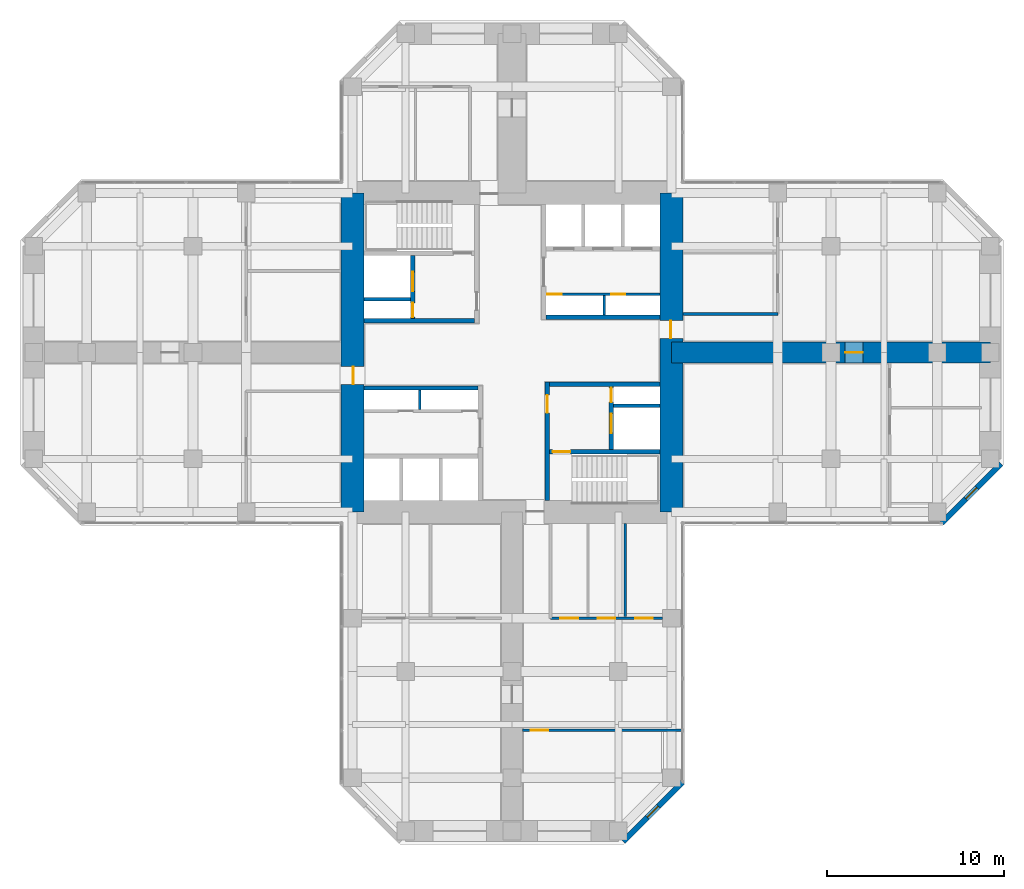
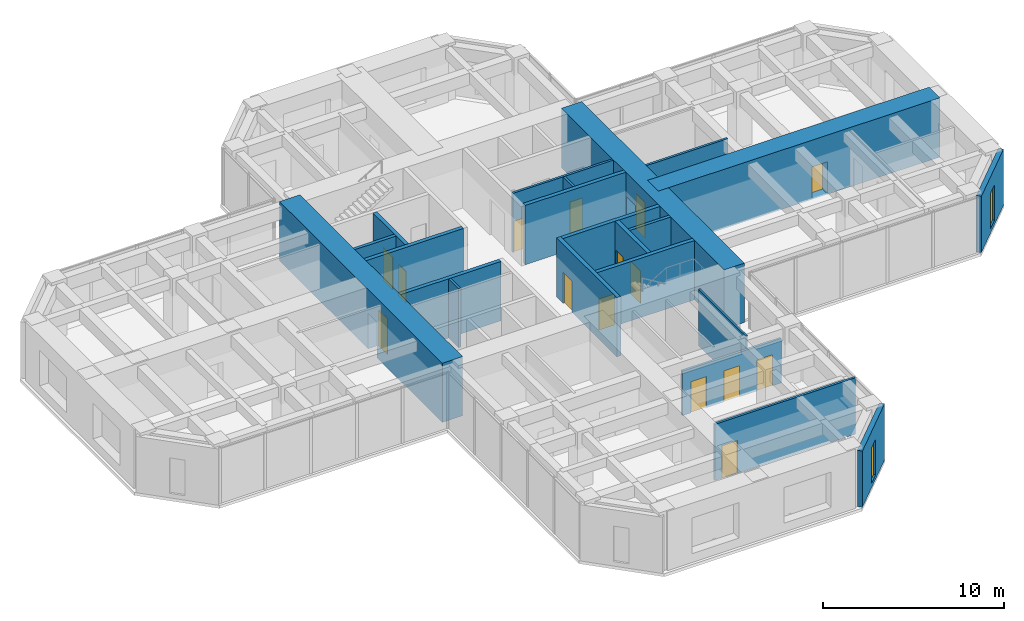
# One storey, part 9 of 12: 22 walls, 15 doors, 2 windows, 17 openings.
"""IFC4 building model written with IfcOpenShell, lengths in metres."""

from ifc_helpers import new_model, si_unit, direction, frame, frame_2d, origin, place, context, subcontext, project, spatial, rectangle, hollow_rectangle, extrude, material, layer, layer_set, constituent, constituent_set, type_object, element, fill, save


model = new_model("IFC4")

# Units and contexts
model_context = context("Model", 3, precision=1e-05, world=origin(), true_north=direction((0.0, 1.0)))
body_context = subcontext(model_context, "Body", "Model", "MODEL_VIEW")
ifc_project = project(units=[si_unit("LENGTHUNIT", "METRE"), si_unit("AREAUNIT", "SQUARE_METRE"), si_unit("VOLUMEUNIT", "CUBIC_METRE"), si_unit("PLANEANGLEUNIT", "RADIAN"), si_unit("MASSUNIT", "GRAM", prefix="KILO")], contexts=[model_context])

# Site, building, storey
site_placement = place(None, origin())
site = spatial("IfcSite", under=ifc_project, at=site_placement, CompositionType="ELEMENT")
building_placement = place(site_placement, origin())
building = spatial("IfcBuilding", under=site, at=building_placement, Name="Torre Cruceta", CompositionType="ELEMENT")
storey_placement = place(building_placement, frame((0.0, 0.0, 116.5)))
storey = spatial("IfcBuildingStorey", under=building, at=storey_placement, Name="L28", CompositionType="ELEMENT", Elevation=116.5)

# Walls
ifc_material_1 = material(Name="Concrete G60 (fck 60 MPa)", Category="concrete")
ifc_layer_1 = layer(ifc_material_1, 0.25)
ifc_layer_set_1 = layer_set([ifc_layer_1], Name="Concrete G60 (fck 60 MPa)")
wall_type_1 = type_object("IfcWallType", Name="CORE INNER WALL 250 G60", PredefinedType="SHEAR", material=ifc_layer_set_1)
wall_1_placement = place(storey_placement, frame((1.925048828125, 2.0, 0.0), z_axis=(0.0, 0.0, 1.0), x_axis=(1.0, 0.0, 0.0)))
element("IfcWall", 1, at=wall_1_placement, inside=storey, type_object=wall_type_1, Name="CW4 L28 NE-CV", PredefinedType="SHEAR", context=body_context, shape_type="SweptSolid", body=[
    extrude(rectangle(XDim=6.425048828125, YDim=0.25, at=frame_2d((3.21240234375, 0.0))), origin(), (0.0, 0.0, 1.0), 4.0),
])
wall_2_placement = place(storey_placement, frame((-2.125, 1.800048828125, 0.0), z_axis=(0.0, 0.0, 1.0), x_axis=(-1.0, 0.0, 0.0)))
element("IfcWall", 2, at=wall_2_placement, inside=storey, type_object=wall_type_1, Name="CW4 L28 NW-CV", PredefinedType="SHEAR", context=body_context, shape_type="SweptSolid", body=[
    extrude(rectangle(XDim=6.22509765625, YDim=0.25, at=frame_2d((3.112548828125, 0.0))), origin(), (0.0, 0.0, 1.0), 4.0),
])

# Wall, openings, doors
wall_3_placement = place(storey_placement, frame((-5.60009765625, 1.925048828125, 0.0), z_axis=(0.0, 0.0, 1.0), x_axis=(0.0, 1.0, 0.0)))
wall_3 = element("IfcWall", 3, at=wall_3_placement, inside=storey, type_object=wall_type_1, Name="CW4 L28 NW-FU", PredefinedType="SHEAR", context=body_context, shape_type="SweptSolid", body=[
    extrude(rectangle(XDim=3.550048828125, YDim=0.25, at=frame_2d((1.77490234375, 0.0))), origin(), (0.0, 0.0, 1.0), 4.0),
])
opening_1_placement = place(wall_3_placement, frame((1.52490234375, 0.0, 0.0)))
opening_1 = element("IfcOpeningElement", 4, at=opening_1_placement, cuts=wall_3, Name="Opening LD1", PredefinedType="OPENING", context=body_context, shape_type="SweptSolid", body=[
    extrude(rectangle(XDim=1.10009765625, YDim=2.199951171875, at=frame_2d((0.550048828125, 1.10009765625))), frame((0.0, 0.135009765625, 0.0), z_axis=(0.0, -1.0, 0.0), x_axis=(1.0, 0.0, 0.0)), (0.0, 0.0, 1.0), 0.27001953125),
])
opening_2_placement = place(wall_3_placement, frame((0.074951171875, 0.0, 0.0)))
opening_2 = element("IfcOpeningElement", 5, at=opening_2_placement, cuts=wall_3, Name="Opening D5", PredefinedType="OPENING", context=body_context, shape_type="SweptSolid", body=[
    extrude(rectangle(XDim=0.800048828125, YDim=2.10009765625, at=frame_2d((0.39990234375, 1.050048828125))), frame((0.0, 0.135009765625, 0.0), z_axis=(0.0, -1.0, 0.0), x_axis=(1.0, 0.0, 0.0)), (0.0, 0.0, 1.0), 0.27001953125),
])
ifc_material_2 = material(Name="Stainless steel 1.4401", Category="steel")
door_type_1 = type_object("IfcDoorType", Name="LIFT LANDING DOOR 1100X2200", OperationType="DOUBLE_DOOR_SLIDING", PredefinedType="DOOR", material=ifc_material_2)
door_1_placement = place(opening_1_placement, origin())
door_1 = element("IfcDoor", 6, at=door_1_placement, inside=storey, type_object=door_type_1, Name="Lift landing door FL1", OperationType="DOUBLE_DOOR_SLIDING", OverallHeight=2.199951171875, OverallWidth=1.10009765625, PredefinedType="DOOR", context=body_context, shape_type="SweptSolid", body=[
    extrude(rectangle(XDim=1.10009765625, YDim=2.199951171875, at=frame_2d((0.550048828125, 1.10009765625))), frame((0.0, 0.02490234375, 0.0), z_axis=(0.0, -1.0, 0.0), x_axis=(1.0, 0.0, 0.0)), (0.0, 0.0, 1.0), 0.050048828125),
])
fill(opening_1, door_1)
ifc_material_3 = material(Name="Steel DX51D", Category="steel")
ifc_constituent_1 = constituent(ifc_material_3, Name="Leaf and frame")
ifc_material_4 = material(Name="Polyester powder coating", Category="paint")
ifc_constituent_2 = constituent(ifc_material_4, Name="Finish")
ifc_constituent_set_1 = constituent_set(constituents=[ifc_constituent_1, ifc_constituent_2], Name="Steel fire door")
door_type_2 = type_object("IfcDoorType", Name="RISER ACCESS DOOR 800X2100", OperationType="SINGLE_SWING_LEFT", PredefinedType="DOOR", material=ifc_constituent_set_1)
door_2_placement = place(opening_2_placement, origin())
door_2 = element("IfcDoor", 7, at=door_2_placement, inside=storey, type_object=door_type_2, Name="D5 L28 NW-RISER", OperationType="SINGLE_SWING_LEFT", OverallHeight=2.10009765625, OverallWidth=0.800048828125, PredefinedType="DOOR", context=body_context, shape_type="SweptSolid", body=[
    extrude(rectangle(XDim=0.800048828125, YDim=2.10009765625, at=frame_2d((0.39990234375, 1.050048828125))), frame((0.0, 0.02490234375, 0.0), z_axis=(0.0, -1.0, 0.0), x_axis=(1.0, 0.0, 0.0)), (0.0, 0.0, 1.0), 0.050048828125),
])
fill(opening_2, door_2)

# Wall
wall_4_placement = place(storey_placement, frame((-1.925048828125, -2.0, 0.0), z_axis=(0.0, 0.0, 1.0), x_axis=(-1.0, 0.0, 0.0)))
element("IfcWall", 8, at=wall_4_placement, inside=storey, type_object=wall_type_1, Name="CW4 L28 SW-CV", PredefinedType="SHEAR", context=body_context, shape_type="SweptSolid", body=[
    extrude(rectangle(XDim=6.425048828125, YDim=0.25, at=frame_2d((3.21240234375, 0.0))), origin(), (0.0, 0.0, 1.0), 4.0),
])

# Wall, opening, door
wall_5_placement = place(storey_placement, frame((2.0, -1.675048828125, 0.0), z_axis=(0.0, 0.0, 1.0), x_axis=(0.0, -1.0, 0.0)))
wall_5 = element("IfcWall", 9, at=wall_5_placement, inside=storey, type_object=wall_type_1, Name="CW4 L28 SE-CU", PredefinedType="SHEAR", context=body_context, shape_type="SweptSolid", body=[
    extrude(rectangle(XDim=6.675048828125, YDim=0.25, at=frame_2d((3.33740234375, 0.0))), origin(), (0.0, 0.0, 1.0), 4.0),
])
opening_3_placement = place(wall_5_placement, frame((0.72509765625, 0.0, 0.0)))
opening_3 = element("IfcOpeningElement", 10, at=opening_3_placement, cuts=wall_5, Name="Opening D3", PredefinedType="OPENING", context=body_context, shape_type="SweptSolid", body=[
    extrude(rectangle(XDim=1.0, YDim=2.10009765625, at=frame_2d((0.5, 1.050048828125))), frame((0.0, 0.135009765625, 0.0), z_axis=(0.0, -1.0, 0.0), x_axis=(1.0, 0.0, 0.0)), (0.0, 0.0, 1.0), 0.27001953125),
])
ifc_material_5 = material(Name="Steel DX51D", Category="steel")
ifc_constituent_3 = constituent(ifc_material_5, Name="Leaf and frame")
ifc_material_6 = material(Name="Polyester powder coating", Category="paint")
ifc_constituent_4 = constituent(ifc_material_6, Name="Finish")
ifc_constituent_set_2 = constituent_set(constituents=[ifc_constituent_3, ifc_constituent_4], Name="Steel fire door")
door_type_3 = type_object("IfcDoorType", Name="FIRE DOOR 1000X2100", OperationType="SINGLE_SWING_LEFT", PredefinedType="DOOR", material=ifc_constituent_set_2)
door_3_placement = place(opening_3_placement, origin())
door_3 = element("IfcDoor", 11, at=door_3_placement, inside=storey, type_object=door_type_3, Name="D3 L28 SE-LOBBY", OperationType="SINGLE_SWING_LEFT", OverallHeight=2.10009765625, OverallWidth=1.0, PredefinedType="DOOR", context=body_context, shape_type="SweptSolid", body=[
    extrude(rectangle(XDim=1.0, YDim=2.10009765625, at=frame_2d((0.5, 1.050048828125))), frame((0.0, 0.02490234375, 0.0), z_axis=(0.0, -1.0, 0.0), x_axis=(1.0, 0.0, 0.0)), (0.0, 0.0, 1.0), 0.050048828125),
])
fill(opening_3, door_3)

# Wall
wall_6_placement = place(storey_placement, frame((2.125, -1.800048828125, 0.0), z_axis=(0.0, 0.0, 1.0), x_axis=(1.0, 0.0, 0.0)))
element("IfcWall", 12, at=wall_6_placement, inside=storey, type_object=wall_type_1, Name="CW4 L28 SE-CV", PredefinedType="SHEAR", context=body_context, shape_type="SweptSolid", body=[
    extrude(rectangle(XDim=6.22509765625, YDim=0.25, at=frame_2d((3.112548828125, 0.0))), origin(), (0.0, 0.0, 1.0), 4.0),
])

# Wall, opening, door
wall_7_placement = place(storey_placement, frame((2.125, -5.60009765625, 0.0), z_axis=(0.0, 0.0, 1.0), x_axis=(1.0, 0.0, 0.0)))
wall_7 = element("IfcWall", 13, at=wall_7_placement, inside=storey, type_object=wall_type_1, Name="CW4 L28 SE-SV", PredefinedType="SHEAR", context=body_context, shape_type="SweptSolid", body=[
    extrude(rectangle(XDim=6.22509765625, YDim=0.25, at=frame_2d((3.112548828125, 0.0))), origin(), (0.0, 0.0, 1.0), 4.0),
])
opening_4_placement = place(wall_7_placement, frame((0.175048828125, 0.0, 0.0)))
opening_4 = element("IfcOpeningElement", 14, at=opening_4_placement, cuts=wall_7, Name="Opening D3", PredefinedType="OPENING", context=body_context, shape_type="SweptSolid", body=[
    extrude(rectangle(XDim=1.0, YDim=2.10009765625, at=frame_2d((0.5, 1.050048828125))), frame((0.0, 0.135009765625, 0.0), z_axis=(0.0, -1.0, 0.0), x_axis=(1.0, 0.0, 0.0)), (0.0, 0.0, 1.0), 0.27001953125),
])
door_4_placement = place(opening_4_placement, frame((1.0, 0.0, 0.0), z_axis=(0.0, 0.0, 1.0), x_axis=(-1.0, 0.0, 0.0)))
door_4 = element("IfcDoor", 15, at=door_4_placement, inside=storey, type_object=door_type_3, Name="D3 L28 SE-STAIR", OperationType="SINGLE_SWING_RIGHT", OverallHeight=2.10009765625, OverallWidth=1.0, PredefinedType="DOOR", context=body_context, shape_type="SweptSolid", body=[
    extrude(rectangle(XDim=1.0, YDim=2.10009765625, at=frame_2d((0.5, 1.050048828125))), frame((0.0, 0.025146484375, 0.0), z_axis=(0.0, -1.0, 0.0), x_axis=(1.0, 0.0, 0.0)), (0.0, 0.0, 1.0), 0.050048828125),
])
fill(opening_4, door_4)

# Wall, openings, doors
wall_8_placement = place(storey_placement, frame((5.60009765625, -1.925048828125, 0.0), z_axis=(0.0, 0.0, 1.0), x_axis=(0.0, -1.0, 0.0)))
wall_8 = element("IfcWall", 16, at=wall_8_placement, inside=storey, type_object=wall_type_1, Name="CW4 L28 SE-FU", PredefinedType="SHEAR", context=body_context, shape_type="SweptSolid", body=[
    extrude(rectangle(XDim=3.550048828125, YDim=0.25, at=frame_2d((1.77490234375, 0.0))), origin(), (0.0, 0.0, 1.0), 4.0),
])
opening_5_placement = place(wall_8_placement, frame((1.52490234375, 0.0, 0.0)))
opening_5 = element("IfcOpeningElement", 17, at=opening_5_placement, cuts=wall_8, Name="Opening LD1", PredefinedType="OPENING", context=body_context, shape_type="SweptSolid", body=[
    extrude(rectangle(XDim=1.10009765625, YDim=2.199951171875, at=frame_2d((0.550048828125, 1.10009765625))), frame((0.0, 0.135009765625, 0.0), z_axis=(0.0, -1.0, 0.0), x_axis=(1.0, 0.0, 0.0)), (0.0, 0.0, 1.0), 0.27001953125),
])
opening_6_placement = place(wall_8_placement, frame((0.074951171875, 0.0, 0.0)))
opening_6 = element("IfcOpeningElement", 18, at=opening_6_placement, cuts=wall_8, Name="Opening D5", PredefinedType="OPENING", context=body_context, shape_type="SweptSolid", body=[
    extrude(rectangle(XDim=0.800048828125, YDim=2.10009765625, at=frame_2d((0.39990234375, 1.050048828125))), frame((0.0, 0.135009765625, 0.0), z_axis=(0.0, -1.0, 0.0), x_axis=(1.0, 0.0, 0.0)), (0.0, 0.0, 1.0), 0.27001953125),
])
door_5_placement = place(opening_5_placement, origin())
door_5 = element("IfcDoor", 19, at=door_5_placement, inside=storey, type_object=door_type_1, Name="Lift landing door FL2", OperationType="DOUBLE_DOOR_SLIDING", OverallHeight=2.199951171875, OverallWidth=1.10009765625, PredefinedType="DOOR", context=body_context, shape_type="SweptSolid", body=[
    extrude(rectangle(XDim=1.10009765625, YDim=2.199951171875, at=frame_2d((0.550048828125, 1.10009765625))), frame((0.0, 0.02490234375, 0.0), z_axis=(0.0, -1.0, 0.0), x_axis=(1.0, 0.0, 0.0)), (0.0, 0.0, 1.0), 0.050048828125),
])
fill(opening_5, door_5)
door_6_placement = place(opening_6_placement, origin())
door_6 = element("IfcDoor", 20, at=door_6_placement, inside=storey, type_object=door_type_2, Name="D5 L28 SE-RISER", OperationType="SINGLE_SWING_LEFT", OverallHeight=2.10009765625, OverallWidth=0.800048828125, PredefinedType="DOOR", context=body_context, shape_type="SweptSolid", body=[
    extrude(rectangle(XDim=0.800048828125, YDim=2.10009765625, at=frame_2d((0.39990234375, 1.050048828125))), frame((0.0, 0.02490234375, 0.0), z_axis=(0.0, -1.0, 0.0), x_axis=(1.0, 0.0, 0.0)), (0.0, 0.0, 1.0), 0.050048828125),
])
fill(opening_6, door_6)

# Wall, opening, door
ifc_material_7 = material(Name="Concrete G60 (fck 60 MPa)", Category="concrete")
ifc_layer_2 = layer(ifc_material_7, 1.300048828125)
ifc_layer_set_2 = layer_set([ifc_layer_2], Name="Concrete G60 (fck 60 MPa)")
wall_type_2 = type_object("IfcWallType", Name="CORE WALL 1300 G60", PredefinedType="SHEAR", material=ifc_layer_set_2)
wall_9_placement = place(storey_placement, frame((9.0, -9.0, 0.0), z_axis=(0.0, 0.0, 1.0), x_axis=(0.0, 1.0, 0.0)))
wall_9 = element("IfcWall", 21, at=wall_9_placement, inside=storey, type_object=wall_type_2, Name="CW1 L28 CW-E", PredefinedType="SHEAR", context=body_context, shape_type="SweptSolid", body=[
    extrude(rectangle(XDim=18.0, YDim=1.300048828125, at=frame_2d((9.0, 0.0))), origin(), (0.0, 0.0, 1.0), 4.0),
])
opening_7_placement = place(wall_9_placement, frame((9.800048828125, 0.0, 0.0)))
opening_7 = element("IfcOpeningElement", 22, at=opening_7_placement, cuts=wall_9, Name="Opening D4", PredefinedType="OPENING", context=body_context, shape_type="SweptSolid", body=[
    extrude(rectangle(XDim=1.0, YDim=2.39990234375, at=frame_2d((0.5, 1.199951171875))), frame((0.0, 0.659912109375, 0.0), z_axis=(0.0, -1.0, 0.0), x_axis=(1.0, 0.0, 0.0)), (0.0, 0.0, 1.0), 1.320068359375),
])
ifc_material_8 = material(Name="Steel DX51D", Category="steel")
ifc_constituent_5 = constituent(ifc_material_8, Name="Leaf and frame")
ifc_material_9 = material(Name="Polyester powder coating", Category="paint")
ifc_constituent_6 = constituent(ifc_material_9, Name="Finish")
ifc_constituent_set_3 = constituent_set(constituents=[ifc_constituent_5, ifc_constituent_6], Name="Steel fire door")
door_type_4 = type_object("IfcDoorType", Name="CORE ARM DOOR 1000X2400", OperationType="SINGLE_SWING_RIGHT", PredefinedType="DOOR", material=ifc_constituent_set_3)
door_7_placement = place(opening_7_placement, frame((1.0, 0.0, 0.0), z_axis=(0.0, 0.0, 1.0), x_axis=(-1.0, 0.0, 0.0)))
door_7 = element("IfcDoor", 23, at=door_7_placement, inside=storey, type_object=door_type_4, Name="D4 L28 CW-E", OperationType="SINGLE_SWING_RIGHT", OverallHeight=2.39990234375, OverallWidth=1.0, PredefinedType="DOOR", context=body_context, shape_type="SweptSolid", body=[
    extrude(rectangle(XDim=1.0, YDim=2.39990234375, at=frame_2d((0.5, 1.199951171875))), frame((0.0, -0.005126953125, 0.0), z_axis=(0.0, -1.0, 0.0), x_axis=(1.0, 0.0, 0.0)), (0.0, 0.0, 1.0), 0.050048828125),
])
fill(opening_7, door_7)

wall_10_placement = place(storey_placement, frame((-9.0, 9.0, 0.0), z_axis=(0.0, 0.0, 1.0), x_axis=(0.0, -1.0, 0.0)))
wall_10 = element("IfcWall", 24, at=wall_10_placement, inside=storey, type_object=wall_type_2, Name="CW1 L28 CW-W", PredefinedType="SHEAR", context=body_context, shape_type="SweptSolid", body=[
    extrude(rectangle(XDim=18.0, YDim=1.300048828125, at=frame_2d((9.0, 0.0))), origin(), (0.0, 0.0, 1.0), 4.0),
])
opening_8_placement = place(wall_10_placement, frame((9.800048828125, 0.0, 0.0)))
opening_8 = element("IfcOpeningElement", 25, at=opening_8_placement, cuts=wall_10, Name="Opening D4", PredefinedType="OPENING", context=body_context, shape_type="SweptSolid", body=[
    extrude(rectangle(XDim=1.0, YDim=2.39990234375, at=frame_2d((0.5, 1.199951171875))), frame((0.0, 0.659912109375, 0.0), z_axis=(0.0, -1.0, 0.0), x_axis=(1.0, 0.0, 0.0)), (0.0, 0.0, 1.0), 1.320068359375),
])
door_8_placement = place(opening_8_placement, frame((1.0, 0.0, 0.0), z_axis=(0.0, 0.0, 1.0), x_axis=(-1.0, 0.0, 0.0)))
door_8 = element("IfcDoor", 26, at=door_8_placement, inside=storey, type_object=door_type_4, Name="D4 L28 CW-W", OperationType="SINGLE_SWING_RIGHT", OverallHeight=2.39990234375, OverallWidth=1.0, PredefinedType="DOOR", context=body_context, shape_type="SweptSolid", body=[
    extrude(rectangle(XDim=1.0, YDim=2.39990234375, at=frame_2d((0.5, 1.199951171875))), frame((0.0, -0.005126953125, 0.0), z_axis=(0.0, -1.0, 0.0), x_axis=(1.0, 0.0, 0.0)), (0.0, 0.0, 1.0), 0.050048828125),
])
fill(opening_8, door_8)

# Wall, opening, window
ifc_material_10 = material(Name="Concrete G30 (fck 30 MPa)", Category="concrete")
ifc_layer_3 = layer(ifc_material_10, 0.300048828125)
ifc_layer_set_3 = layer_set([ifc_layer_3], Name="Concrete G30 (fck 30 MPa)")
wall_type_3 = type_object("IfcWallType", Name="EXPOSED CONCRETE FACADE WALL 300", PredefinedType="SOLIDWALL", material=ifc_layer_set_3)
wall_11_placement = place(storey_placement, frame((24.2568359375, -9.6201171875, 0.0), z_axis=(0.0, 0.0, 1.0), x_axis=(0.707106781187, 0.707106781187, 0.0)))
wall_11 = element("IfcWall", 27, at=wall_11_placement, inside=storey, type_object=wall_type_3, Name="EW1 facade wall L28 E chamfer 01", PredefinedType="SOLIDWALL", context=body_context, shape_type="SweptSolid", body=[
    extrude(rectangle(XDim=4.72802734375, YDim=0.300048828125, at=frame_2d((2.364013671875, 0.0))), origin(), (0.0, 0.0, 1.0), 3.800048828125),
])
opening_9_placement = place(wall_11_placement, frame((1.9140625, 0.0, 0.300048828125)))
opening_9 = element("IfcOpeningElement", 28, at=opening_9_placement, cuts=wall_11, Name="Opening WN5", PredefinedType="OPENING", context=body_context, shape_type="SweptSolid", body=[
    extrude(rectangle(XDim=0.89990234375, YDim=2.39990234375, at=frame_2d((0.449951171875, 1.199951171875))), frame((0.0, 0.159912109375, 0.0), z_axis=(0.0, -1.0, 0.0), x_axis=(1.0, 0.0, 0.0)), (0.0, 0.0, 1.0), 0.320068359375),
])
ifc_material_11 = material(Name="Aluminium window frame", Category="aluminium")
ifc_constituent_7 = constituent(ifc_material_11, Name="Frame")
ifc_material_12 = material(Name="Laminated insulating glass unit, low-iron clear", Category="glass")
ifc_constituent_8 = constituent(ifc_material_12, Name="Glazing")
ifc_constituent_set_4 = constituent_set(constituents=[ifc_constituent_7, ifc_constituent_8], Name="Aluminium window")
window_type = type_object("IfcWindowType", Name="CHAMFER SLOT WINDOW 900X2400", PartitioningType="SINGLE_PANEL", PredefinedType="WINDOW", material=ifc_constituent_set_4)
window_1_placement = place(opening_9_placement, origin())
window_1 = element("IfcWindow", 29, at=window_1_placement, inside=storey, type_object=window_type, Name="WN5 L28 E 1", OverallHeight=2.39990234375, OverallWidth=0.89990234375, PartitioningType="SINGLE_PANEL", PredefinedType="WINDOW", context=body_context, shape_type="SweptSolid", body=[
    extrude(hollow_rectangle(XDim=0.89990234375, YDim=2.39990234375, WallThickness=0.06005859375, at=frame_2d((0.449951171875, 1.199951171875))), frame((0.0, 0.030029296875, 0.0), z_axis=(0.0, -1.0, 0.0), x_axis=(1.0, 0.0, 0.0)), (0.0, 0.0, 1.0), 0.06005859375),
    extrude(rectangle(XDim=0.77880859375, YDim=2.27880859375, at=frame_2d((0.449951171875, 1.199951171875))), frame((0.0, 0.030029296875, 0.0), z_axis=(0.0, -1.0, 0.0), x_axis=(1.0, 0.0, 0.0)), (0.0, 0.0, 1.0), 0.06005859375),
])
fill(opening_9, window_1)

wall_12_placement = place(storey_placement, frame((6.27685546875, -27.60009765625, 0.0), z_axis=(0.0, 0.0, 1.0), x_axis=(0.707106781187, 0.707106781187, 0.0)))
wall_12 = element("IfcWall", 30, at=wall_12_placement, inside=storey, type_object=wall_type_3, Name="EW1 facade wall L28 S chamfer 18", PredefinedType="SOLIDWALL", context=body_context, shape_type="SweptSolid", body=[
    extrude(rectangle(XDim=4.72802734375, YDim=0.300048828125, at=frame_2d((2.364013671875, 0.0))), origin(), (0.0, 0.0, 1.0), 3.800048828125),
])
opening_10_placement = place(wall_12_placement, frame((1.9140625, 0.0, 0.300048828125)))
opening_10 = element("IfcOpeningElement", 31, at=opening_10_placement, cuts=wall_12, Name="Opening WN5", PredefinedType="OPENING", context=body_context, shape_type="SweptSolid", body=[
    extrude(rectangle(XDim=0.89990234375, YDim=2.39990234375, at=frame_2d((0.449951171875, 1.199951171875))), frame((0.0, 0.159912109375, 0.0), z_axis=(0.0, -1.0, 0.0), x_axis=(1.0, 0.0, 0.0)), (0.0, 0.0, 1.0), 0.320068359375),
])
window_2_placement = place(opening_10_placement, origin())
window_2 = element("IfcWindow", 32, at=window_2_placement, inside=storey, type_object=window_type, Name="WN5 L28 S 1", OverallHeight=2.39990234375, OverallWidth=0.89990234375, PartitioningType="SINGLE_PANEL", PredefinedType="WINDOW", context=body_context, shape_type="SweptSolid", body=[
    extrude(hollow_rectangle(XDim=0.89990234375, YDim=2.39990234375, WallThickness=0.06005859375, at=frame_2d((0.449951171875, 1.199951171875))), frame((0.0, 0.030029296875, 0.0), z_axis=(0.0, -1.0, 0.0), x_axis=(1.0, 0.0, 0.0)), (0.0, 0.0, 1.0), 0.06005859375),
    extrude(rectangle(XDim=0.77880859375, YDim=2.27880859375, at=frame_2d((0.449951171875, 1.199951171875))), frame((0.0, 0.030029296875, 0.0), z_axis=(0.0, -1.0, 0.0), x_axis=(1.0, 0.0, 0.0)), (0.0, 0.0, 1.0), 0.06005859375),
])
fill(opening_10, window_2)

# Walls
ifc_material_13 = material(Name="Concrete G35 (fck 35 MPa)", Category="concrete")
ifc_layer_4 = layer(ifc_material_13, 0.199951171875)
ifc_layer_set_4 = layer_set([ifc_layer_4], Name="Concrete G35 (fck 35 MPa)")
wall_type_4 = type_object("IfcWallType", Name="LIFT SHAFT WALL 200", PredefinedType="PARTITIONING", material=ifc_layer_set_4)
for number, where, z_axis, x_axis, name in (
    (33, (-5.72509765625, 3.0, 0.0), (0.0, 0.0, 1.0), (-1.0, 0.0, 0.0), "SW1 L28 NW-FR"),
    (34, (5.72509765625, -3.0, 0.0), (0.0, 0.0, 1.0), (1.0, 0.0, 0.0), "SW1 L28 SE-FR"),
):
    element("IfcWall", number, at=place(storey_placement, frame(where, z_axis=z_axis, x_axis=x_axis)), inside=storey, type_object=wall_type_4, Name=name, PredefinedType="PARTITIONING", context=body_context, shape_type="SweptSolid", body=[
        extrude(rectangle(XDim=2.625, YDim=0.199951171875, at=frame_2d((1.3125, 0.0))), origin(), (0.0, 0.0, 1.0), 4.0),
    ])
ifc_material_14 = material(Name="Plasterboard on steel studs", Category="steel")
ifc_layer_5 = layer(ifc_material_14, 0.14990234375)
ifc_layer_set_5 = layer_set([ifc_layer_5], Name="Plasterboard on steel studs")
wall_type_5 = type_object("IfcWallType", Name="PARTITION 150", PredefinedType="PARTITIONING", material=ifc_layer_set_5)
wall_13_placement = place(storey_placement, frame((9.64990234375, 2.175048828125, 0.0), z_axis=(0.0, 0.0, 1.0), x_axis=(1.0, 0.0, 0.0)))
element("IfcWall", 35, at=wall_13_placement, inside=storey, type_object=wall_type_5, Name="PT1 L28-E-BSL", PredefinedType="PARTITIONING", context=body_context, shape_type="SweptSolid", body=[
    extrude(rectangle(XDim=5.35009765625, YDim=0.14990234375, at=frame_2d((2.675048828125, 0.0))), origin(), (0.0, 0.0, 1.0), 3.800048828125),
])

# Wall, openings, doors
wall_14_placement = place(storey_placement, frame((2.175048828125, -15.0, 0.0), z_axis=(0.0, 0.0, 1.0), x_axis=(1.0, 0.0, 0.0)))
wall_14 = element("IfcWall", 36, at=wall_14_placement, inside=storey, type_object=wall_type_5, Name="PT1 L28-S-BFL", PredefinedType="PARTITIONING", context=body_context, shape_type="SweptSolid", body=[
    extrude(rectangle(XDim=6.324951171875, YDim=0.14990234375, at=frame_2d((3.16259765625, 0.0))), origin(), (0.0, 0.0, 1.0), 3.0),
])
opening_11_placement = place(wall_14_placement, frame((0.55419921875, 0.0, 0.0)))
opening_11 = element("IfcOpeningElement", 37, at=opening_11_placement, cuts=wall_14, Name="Opening D3", PredefinedType="OPENING", context=body_context, shape_type="SweptSolid", body=[
    extrude(rectangle(XDim=1.0, YDim=2.10009765625, at=frame_2d((0.5, 1.050048828125))), frame((0.0, 0.0849609375, 0.0), z_axis=(0.0, -1.0, 0.0), x_axis=(1.0, 0.0, 0.0)), (0.0, 0.0, 1.0), 0.169921875),
])
opening_12_placement = place(wall_14_placement, frame((2.66259765625, 0.0, 0.0)))
opening_12 = element("IfcOpeningElement", 38, at=opening_12_placement, cuts=wall_14, Name="Opening D3", PredefinedType="OPENING", context=body_context, shape_type="SweptSolid", body=[
    extrude(rectangle(XDim=1.0, YDim=2.10009765625, at=frame_2d((0.5, 1.050048828125))), frame((0.0, 0.0849609375, 0.0), z_axis=(0.0, -1.0, 0.0), x_axis=(1.0, 0.0, 0.0)), (0.0, 0.0, 1.0), 0.169921875),
])
opening_13_placement = place(wall_14_placement, frame((4.770751953125, 0.0, 0.0)))
opening_13 = element("IfcOpeningElement", 39, at=opening_13_placement, cuts=wall_14, Name="Opening D3", PredefinedType="OPENING", context=body_context, shape_type="SweptSolid", body=[
    extrude(rectangle(XDim=1.0, YDim=2.10009765625, at=frame_2d((0.5, 1.050048828125))), frame((0.0, 0.0849609375, 0.0), z_axis=(0.0, -1.0, 0.0), x_axis=(1.0, 0.0, 0.0)), (0.0, 0.0, 1.0), 0.169921875),
])
door_9_placement = place(opening_11_placement, origin())
door_9 = element("IfcDoor", 40, at=door_9_placement, inside=storey, type_object=door_type_3, Name="D3 L28-S-BFL-D1", OperationType="SINGLE_SWING_LEFT", OverallHeight=2.10009765625, OverallWidth=1.0, PredefinedType="DOOR", context=body_context, shape_type="SweptSolid", body=[
    extrude(rectangle(XDim=1.0, YDim=2.10009765625, at=frame_2d((0.5, 1.050048828125))), frame((0.0, 0.02490234375, 0.0), z_axis=(0.0, -1.0, 0.0), x_axis=(1.0, 0.0, 0.0)), (0.0, 0.0, 1.0), 0.050048828125),
])
fill(opening_11, door_9)
door_10_placement = place(opening_12_placement, origin())
door_10 = element("IfcDoor", 41, at=door_10_placement, inside=storey, type_object=door_type_3, Name="D3 L28-S-BFL-D2", OperationType="SINGLE_SWING_LEFT", OverallHeight=2.10009765625, OverallWidth=1.0, PredefinedType="DOOR", context=body_context, shape_type="SweptSolid", body=[
    extrude(rectangle(XDim=1.0, YDim=2.10009765625, at=frame_2d((0.5, 1.050048828125))), frame((0.0, 0.02490234375, 0.0), z_axis=(0.0, -1.0, 0.0), x_axis=(1.0, 0.0, 0.0)), (0.0, 0.0, 1.0), 0.050048828125),
])
fill(opening_12, door_10)
door_11_placement = place(opening_13_placement, origin())
door_11 = element("IfcDoor", 42, at=door_11_placement, inside=storey, type_object=door_type_3, Name="D3 L28-S-BFL-D3", OperationType="SINGLE_SWING_LEFT", OverallHeight=2.10009765625, OverallWidth=1.0, PredefinedType="DOOR", context=body_context, shape_type="SweptSolid", body=[
    extrude(rectangle(XDim=1.0, YDim=2.10009765625, at=frame_2d((0.5, 1.050048828125))), frame((0.0, 0.02490234375, 0.0), z_axis=(0.0, -1.0, 0.0), x_axis=(1.0, 0.0, 0.0)), (0.0, 0.0, 1.0), 0.050048828125),
])
fill(opening_13, door_11)

# Wall, opening, door
wall_15_placement = place(storey_placement, frame((0.60009765625, -21.320068359375, 0.0), z_axis=(0.0, 0.0, 1.0), x_axis=(1.0, 0.0, 0.0)))
wall_15 = element("IfcWall", 43, at=wall_15_placement, inside=storey, type_object=wall_type_5, Name="PT1 L28-S-TWL", PredefinedType="PARTITIONING", context=body_context, shape_type="SweptSolid", body=[
    extrude(rectangle(XDim=8.97998046875, YDim=0.14990234375, at=frame_2d((4.489990234375, 0.0))), origin(), (0.0, 0.0, 1.0), 3.800048828125),
])
opening_14_placement = place(wall_15_placement, frame((0.449951171875, 0.0, 0.0)))
opening_14 = element("IfcOpeningElement", 44, at=opening_14_placement, cuts=wall_15, Name="Opening D14", PredefinedType="OPENING", context=body_context, shape_type="SweptSolid", body=[
    extrude(rectangle(XDim=1.0, YDim=2.199951171875, at=frame_2d((0.5, 1.10009765625))), frame((0.0, 0.0849609375, 0.0), z_axis=(0.0, -1.0, 0.0), x_axis=(1.0, 0.0, 0.0)), (0.0, 0.0, 1.0), 0.169921875),
])
ifc_material_15 = material(Name="Steel DX51D", Category="steel")
ifc_constituent_9 = constituent(ifc_material_15, Name="Leaf and frame")
ifc_material_16 = material(Name="Polyester powder coating", Category="paint")
ifc_constituent_10 = constituent(ifc_material_16, Name="Finish")
ifc_material_17 = material(Name="Fire-resisting glass", Category="glass")
ifc_constituent_11 = constituent(ifc_material_17, Name="Vision panel")
ifc_constituent_set_5 = constituent_set(constituents=[ifc_constituent_9, ifc_constituent_10, ifc_constituent_11], Name="Steel fire door with vision panel")
door_type_5 = type_object("IfcDoorType", Name="FIRE DOOR VISION PANEL 1000X2200", OperationType="SINGLE_SWING_RIGHT", PredefinedType="DOOR", material=ifc_constituent_set_5)
door_12_placement = place(opening_14_placement, frame((1.0, 0.0, 0.0), z_axis=(0.0, 0.0, 1.0), x_axis=(-1.0, 0.0, 0.0)))
door_12 = element("IfcDoor", 45, at=door_12_placement, inside=storey, type_object=door_type_5, Name="D14 L28-S-TWL-D1", OperationType="SINGLE_SWING_RIGHT", OverallHeight=2.199951171875, OverallWidth=1.0, PredefinedType="DOOR", context=body_context, shape_type="SweptSolid", body=[
    extrude(rectangle(XDim=1.0, YDim=2.199951171875, at=frame_2d((0.5, 1.10009765625))), frame((0.0, 0.025146484375, 0.0), z_axis=(0.0, -1.0, 0.0), x_axis=(1.0, 0.0, 0.0)), (0.0, 0.0, 1.0), 0.050048828125),
])
fill(opening_14, door_12)

# Wall, openings, doors
ifc_material_18 = material(Name="Concrete block masonry", Category="masonry")
ifc_layer_6 = layer(ifc_material_18, 0.14990234375)
ifc_layer_set_6 = layer_set([ifc_layer_6], Name="Concrete block masonry")
wall_type_6 = type_object("IfcWallType", Name="RISER WALL 150", PredefinedType="PARTITIONING", material=ifc_layer_set_6)
wall_16_placement = place(storey_placement, frame((1.925048828125, 3.300048828125, 0.0), z_axis=(0.0, 0.0, 1.0), x_axis=(1.0, 0.0, 0.0)))
wall_16 = element("IfcWall", 46, at=wall_16_placement, inside=storey, type_object=wall_type_6, Name="SW7 L28 NE-RV", PredefinedType="PARTITIONING", context=body_context, shape_type="SweptSolid", body=[
    extrude(rectangle(XDim=6.425048828125, YDim=0.14990234375, at=frame_2d((3.21240234375, 0.0))), origin(), (0.0, 0.0, 1.0), 4.0),
])
opening_15_placement = place(wall_16_placement, frame((0.074951171875, 0.0, 0.0)))
opening_15 = element("IfcOpeningElement", 47, at=opening_15_placement, cuts=wall_16, Name="Opening D5", PredefinedType="OPENING", context=body_context, shape_type="SweptSolid", body=[
    extrude(rectangle(XDim=0.800048828125, YDim=2.10009765625, at=frame_2d((0.39990234375, 1.050048828125))), frame((0.0, 0.0849609375, 0.0), z_axis=(0.0, -1.0, 0.0), x_axis=(1.0, 0.0, 0.0)), (0.0, 0.0, 1.0), 0.169921875),
])
opening_16_placement = place(wall_16_placement, frame((3.675048828125, 0.0, 0.0)))
opening_16 = element("IfcOpeningElement", 48, at=opening_16_placement, cuts=wall_16, Name="Opening D5", PredefinedType="OPENING", context=body_context, shape_type="SweptSolid", body=[
    extrude(rectangle(XDim=0.800048828125, YDim=2.10009765625, at=frame_2d((0.39990234375, 1.050048828125))), frame((0.0, 0.0849609375, 0.0), z_axis=(0.0, -1.0, 0.0), x_axis=(1.0, 0.0, 0.0)), (0.0, 0.0, 1.0), 0.169921875),
])
door_13_placement = place(opening_15_placement, frame((0.800048828125, 0.0, 0.0), z_axis=(0.0, 0.0, 1.0), x_axis=(-1.0, 0.0, 0.0)))
door_13 = element("IfcDoor", 49, at=door_13_placement, inside=storey, type_object=door_type_2, Name="D5 L28 NE-RISER1", OperationType="SINGLE_SWING_RIGHT", OverallHeight=2.10009765625, OverallWidth=0.800048828125, PredefinedType="DOOR", context=body_context, shape_type="SweptSolid", body=[
    extrude(rectangle(XDim=0.800048828125, YDim=2.10009765625, at=frame_2d((0.400146484375, 1.050048828125))), frame((0.0, 0.025146484375, 0.0), z_axis=(0.0, -1.0, 0.0), x_axis=(1.0, 0.0, 0.0)), (0.0, 0.0, 1.0), 0.050048828125),
])
fill(opening_15, door_13)
door_14_placement = place(opening_16_placement, frame((0.800048828125, 0.0, 0.0), z_axis=(0.0, 0.0, 1.0), x_axis=(-1.0, 0.0, 0.0)))
door_14 = element("IfcDoor", 50, at=door_14_placement, inside=storey, type_object=door_type_2, Name="D5 L28 NE-RISER2", OperationType="SINGLE_SWING_RIGHT", OverallHeight=2.10009765625, OverallWidth=0.800048828125, PredefinedType="DOOR", context=body_context, shape_type="SweptSolid", body=[
    extrude(rectangle(XDim=0.800048828125, YDim=2.10009765625, at=frame_2d((0.400146484375, 1.050048828125))), frame((0.0, 0.025146484375, 0.0), z_axis=(0.0, -1.0, 0.0), x_axis=(1.0, 0.0, 0.0)), (0.0, 0.0, 1.0), 0.050048828125),
])
fill(opening_16, door_14)

# Walls
for number, where, z_axis, x_axis, name in (
    (51, (5.199951171875, 2.125, 0.0), (0.0, 0.0, 1.0), (0.0, 1.0, 0.0), "SW7 L28 NE-RU"),
    (52, (-5.199951171875, -2.125, 0.0), (0.0, 0.0, 1.0), (0.0, -1.0, 0.0), "SW7 L28 SW-RU"),
):
    element("IfcWall", number, at=place(storey_placement, frame(where, z_axis=z_axis, x_axis=x_axis)), inside=storey, type_object=wall_type_6, Name=name, PredefinedType="PARTITIONING", context=body_context, shape_type="SweptSolid", body=[
        extrude(rectangle(XDim=1.10009765625, YDim=0.14990234375, at=frame_2d((0.550048828125, 0.0))), origin(), (0.0, 0.0, 1.0), 4.0),
    ])

# Wall, opening, door
ifc_material_19 = material(Name="Concrete G60 (fck 60 MPa)", Category="concrete")
ifc_layer_7 = layer(ifc_material_19, 1.199951171875)
ifc_layer_set_7 = layer_set([ifc_layer_7], Name="Concrete G60 (fck 60 MPa)")
wall_type_7 = type_object("IfcWallType", Name="SPINE WALL 1200 G60", PredefinedType="SHEAR", material=ifc_layer_set_7)
wall_17_placement = place(storey_placement, frame((9.0, 0.0, 0.0), z_axis=(0.0, 0.0, 1.0), x_axis=(1.0, 0.0, 0.0)))
wall_17 = element("IfcWall", 53, at=wall_17_placement, inside=storey, type_object=wall_type_7, Name="SW3 spine wall L28 E", PredefinedType="SHEAR", context=body_context, shape_type="SweptSolid", body=[
    extrude(rectangle(XDim=18.0, YDim=1.199951171875, at=frame_2d((9.0, 0.0))), origin(), (0.0, 0.0, 1.0), 4.0),
])
opening_17_placement = place(wall_17_placement, frame((9.800048828125, 0.0, 0.0)))
opening_17 = element("IfcOpeningElement", 54, at=opening_17_placement, cuts=wall_17, Name="Opening D14", PredefinedType="OPENING", context=body_context, shape_type="SweptSolid", body=[
    extrude(rectangle(XDim=1.0, YDim=2.199951171875, at=frame_2d((0.5, 1.10009765625))), frame((0.0, 0.60986328125, 0.0), z_axis=(0.0, -1.0, 0.0), x_axis=(1.0, 0.0, 0.0)), (0.0, 0.0, 1.0), 1.219970703125),
])
door_15_placement = place(opening_17_placement, frame((1.0, 0.0, 0.0), z_axis=(0.0, 0.0, 1.0), x_axis=(-1.0, 0.0, 0.0)))
door_15 = element("IfcDoor", 55, at=door_15_placement, inside=storey, type_object=door_type_5, Name="D14 L28-E-SP1", OperationType="SINGLE_SWING_LEFT", OverallHeight=2.199951171875, OverallWidth=1.0, PredefinedType="DOOR", context=body_context, shape_type="SweptSolid", body=[
    extrude(rectangle(XDim=1.0, YDim=2.199951171875, at=frame_2d((0.5, 1.10009765625))), frame((0.0, 0.025146484375, 0.0), z_axis=(0.0, -1.0, 0.0), x_axis=(1.0, 0.0, 0.0)), (0.0, 0.0, 1.0), 0.050048828125),
])
fill(opening_17, door_15)

# Wall
ifc_material_20 = material(Name="Plasterboard on steel studs", Category="steel")
ifc_layer_8 = layer(ifc_material_20, 0.1201171875)
ifc_layer_set_8 = layer_set([ifc_layer_8], Name="Plasterboard on steel studs")
wall_type_8 = type_object("IfcWallType", Name="WC PARTITION 120", PredefinedType="PLUMBINGWALL", material=ifc_layer_set_8)
wall_18_placement = place(storey_placement, frame((6.3916015625, -9.64990234375, 0.0), z_axis=(0.0, 0.0, 1.0), x_axis=(0.0, -1.0, 0.0)))
element("IfcWall", 56, at=wall_18_placement, inside=storey, type_object=wall_type_8, Name="PT5 L28-S-BDL2", PredefinedType="PLUMBINGWALL", context=body_context, shape_type="SweptSolid", body=[
    extrude(rectangle(XDim=5.25, YDim=0.1201171875, at=frame_2d((2.625, 0.0))), origin(), (0.0, 0.0, 1.0), 3.800048828125),
])

save(model, "model.ifc")
